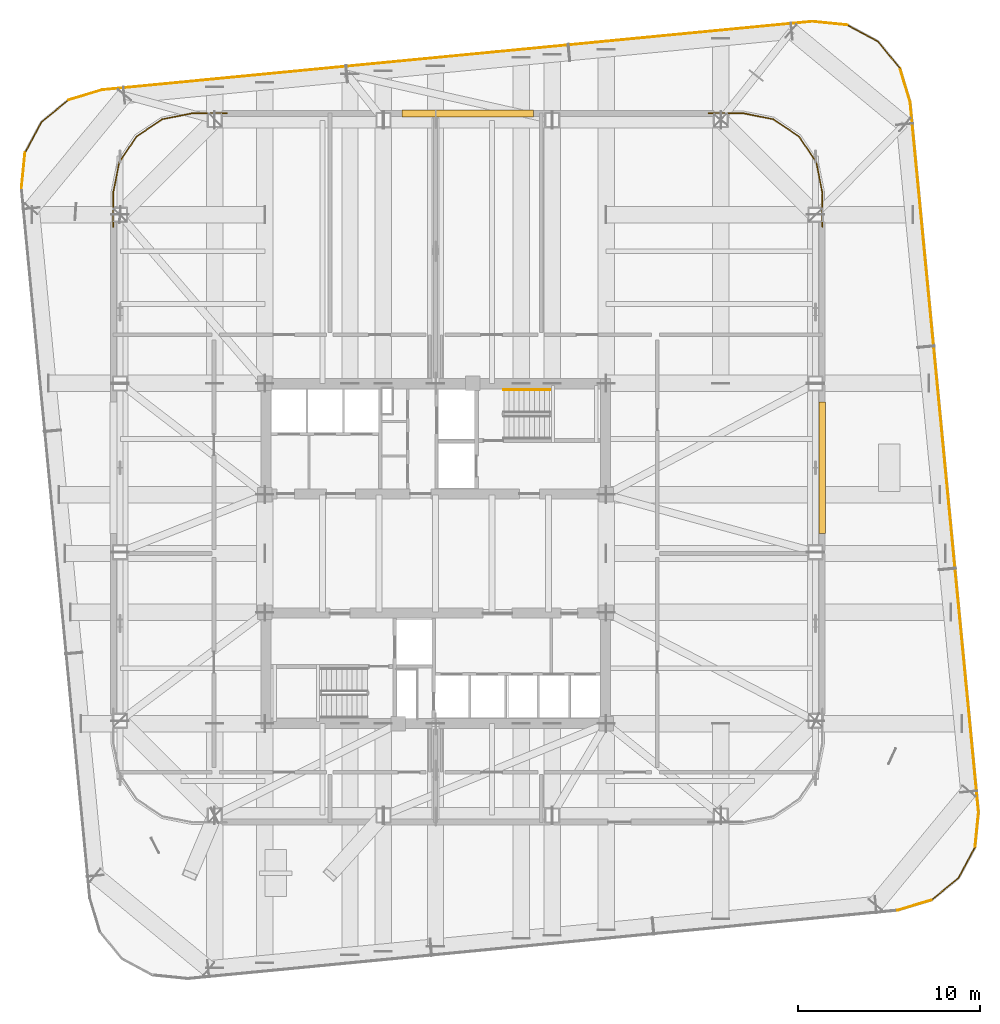
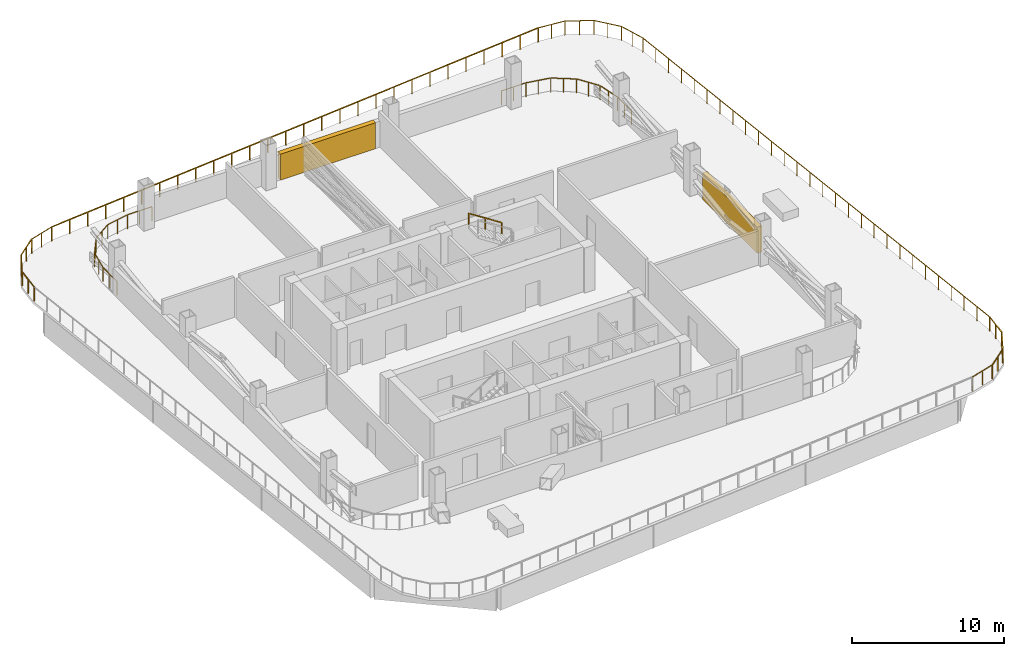
# One storey, part 15 of 15: 17 railings, 2 shading devices.
"""IFC4 building model written with IfcOpenShell, lengths in metres."""

from ifc_helpers import new_model, si_unit, direction, frame, origin, origin_2d, place, context, subcontext, project, spatial, rectangle, extrude, material, type_object, element, save


model = new_model("IFC4")

# Units and contexts
model_context = context("Model", 3, precision=1e-05, world=origin(), true_north=direction((0.0, 1.0)))
body_context = subcontext(model_context, "Body", "Model", "MODEL_VIEW")
ifc_project = project(units=[si_unit("LENGTHUNIT", "METRE"), si_unit("AREAUNIT", "SQUARE_METRE"), si_unit("VOLUMEUNIT", "CUBIC_METRE"), si_unit("PLANEANGLEUNIT", "RADIAN"), si_unit("MASSUNIT", "GRAM", prefix="KILO")], contexts=[model_context])

# Site, building, storey
site_placement = place(None, origin())
site = spatial("IfcSite", under=ifc_project, at=site_placement, CompositionType="ELEMENT")
building_placement = place(site_placement, origin())
building = spatial("IfcBuilding", under=site, at=building_placement, Name="Qhalaya Broadcast Tower", CompositionType="ELEMENT")
storey_placement = place(building_placement, frame((0.0, 0.0, 101.25)))
storey = spatial("IfcBuildingStorey", under=building, at=storey_placement, Name="L29", CompositionType="ELEMENT", Elevation=101.25)

# Shading devices
ifc_material_1 = material(Name="Fired Architectural Terracotta", Category="masonry")
shading_device_type = type_object("IfcShadingDeviceType", Name="Plant & Turbine-Slot Acoustic Louvre Screen LVS-01", PredefinedType="USERDEFINED", material=ifc_material_1)
for number, where, z_axis, x_axis, name in (
    (1, (21.22998046875, 5.31005859375, 0.0), (0.0, 0.0, 1.0), (0.0, -1.0, 0.0), "L29 Plant Acoustic Louvre Screen E"),
    (2, (1.77001953125, 24.77001953125, 0.0), (0.0, 0.0, 1.0), (1.0, 0.0, 0.0), "L29 Plant Acoustic Louvre Screen N"),
):
    element("IfcShadingDevice", number, at=place(storey_placement, frame(where, z_axis=z_axis, x_axis=x_axis)), inside=storey, type_object=shading_device_type, Name=name, ObjectType="LOUVRE", PredefinedType="USERDEFINED", context=body_context, shape_type="SweptSolid", body=[
        extrude(rectangle(XDim=7.199951171875, YDim=0.360107421875, at=origin_2d()), origin(), (0.0, 0.0, 1.0), 2.08203125),
    ])

# Railings
ifc_material_2 = material(Name="Powder-Coated Galvanised Steel", Category="steel")
railing_type_1 = type_object("IfcRailingType", Name="Stair Wall Handrail 900", PredefinedType="HANDRAIL", material=ifc_material_2)
railing_1_placement = place(storey_placement, frame((6.27001953125, 9.590087890625, 1.97998046875)))
element("IfcRailing", 3, at=railing_1_placement, inside=storey, type_object=railing_type_1, Name="L29 ST-1 Stair Handrail 2", PredefinedType="HANDRAIL", context=body_context, shape_type="SweptSolid", body=[
    extrude(rectangle(XDim=0.048095703125, YDim=0.048095703125, at=origin_2d()), frame((0.0, 0.0, 0.8759765625), z_axis=(-0.841162588446, 0.0, 0.540782303519), x_axis=(0.0, -1.0, 0.0)), (0.0, 0.0, 1.0), 2.995849609375),
    extrude(rectangle(XDim=0.0419921875, YDim=0.0419921875, at=origin_2d()), origin(), (0.0, 0.0, 1.0), 0.849853515625),
    extrude(rectangle(XDim=0.0419921875, YDim=0.0419921875, at=origin_2d()), frame((-1.260009765625, 0.0, 0.81005859375)), (0.0, 0.0, 1.0), 0.849853515625),
    extrude(rectangle(XDim=0.0419921875, YDim=0.0419921875, at=origin_2d()), frame((-2.52001953125, 0.0, 1.6201171875)), (0.0, 0.0, 1.0), 0.849853515625),
])
railing_type_2 = type_object("IfcRailingType", Name="Terrace, Sky-Pool & Lookout Glass Balustrade 1150", PredefinedType="BALUSTRADE", material=ifc_material_2)
railing_2_placement = place(storey_placement, frame((-22.744873046875, 20.69189453125, 0.0)))
element("IfcRailing", 4, at=railing_2_placement, inside=storey, type_object=railing_type_2, Name="L29 Perimeter Safety Balustrade BAL-TER1-07", PredefinedType="BALUSTRADE", context=body_context, shape_type="SweptSolid", body=[
    extrude(rectangle(XDim=0.048095703125, YDim=0.048095703125, at=origin_2d()), frame((0.0, 0.0, 1.1259765625), z_axis=(0.100093297364, 0.99497805595, 0.0), x_axis=(-0.99497805595, 0.100093297364, 0.0)), (0.0, 0.0, 1.0), 1.927001953125),
    extrude(rectangle(XDim=0.0419921875, YDim=0.0419921875, at=origin_2d()), origin(), (0.0, 0.0, 1.0), 1.099853515625),
    extrude(rectangle(XDim=0.0419921875, YDim=0.0419921875, at=origin_2d()), frame((0.096435546875, 0.95849609375, 0.0)), (0.0, 0.0, 1.0), 1.099853515625),
    extrude(rectangle(XDim=0.0419921875, YDim=0.0419921875, at=origin_2d()), frame((0.19287109375, 1.917236328125, 0.0)), (0.0, 0.0, 1.0), 1.099853515625),
])
railing_3_placement = place(storey_placement, frame((-22.552001953125, 22.609130859375, 0.0)))
element("IfcRailing", 5, at=railing_3_placement, inside=storey, type_object=railing_type_2, Name="L29 Perimeter Safety Balustrade BAL-TER1-08", PredefinedType="BALUSTRADE", context=body_context, shape_type="SweptSolid", body=[
    extrude(rectangle(XDim=0.048095703125, YDim=0.048095703125, at=origin_2d()), frame((0.0, 0.0, 1.1259765625), z_axis=(0.473325913175, 0.880887382085, 0.0), x_axis=(-0.880887382085, 0.473325913175, 0.0)), (0.0, 0.0, 1.0), 1.919189453125),
    extrude(rectangle(XDim=0.0419921875, YDim=0.0419921875, at=origin_2d()), origin(), (0.0, 0.0, 1.0), 1.099853515625),
    extrude(rectangle(XDim=0.0419921875, YDim=0.0419921875, at=origin_2d()), frame((0.4541015625, 0.84521484375, 0.0)), (0.0, 0.0, 1.0), 1.099853515625),
    extrude(rectangle(XDim=0.0419921875, YDim=0.0419921875, at=origin_2d()), frame((0.908447265625, 1.690673828125, 0.0)), (0.0, 0.0, 1.0), 1.099853515625),
])
railing_4_placement = place(storey_placement, frame((-21.6435546875, 24.2998046875, 0.0)))
element("IfcRailing", 6, at=railing_4_placement, inside=storey, type_object=railing_type_2, Name="L29 Perimeter Safety Balustrade BAL-TER1-09", PredefinedType="BALUSTRADE", context=body_context, shape_type="SweptSolid", body=[
    extrude(rectangle(XDim=0.048095703125, YDim=0.048095703125, at=origin_2d()), frame((0.0, 0.0, 1.1259765625), z_axis=(0.774410571314, 0.632683386092, 0.0), x_axis=(-0.632683386092, 0.774410571314, 0.0)), (0.0, 0.0, 1.0), 1.9189453125),
    extrude(rectangle(XDim=0.0419921875, YDim=0.0419921875, at=origin_2d()), origin(), (0.0, 0.0, 1.0), 1.099853515625),
    extrude(rectangle(XDim=0.0419921875, YDim=0.0419921875, at=origin_2d()), frame((0.7431640625, 0.60693359375, 0.0)), (0.0, 0.0, 1.0), 1.099853515625),
    extrude(rectangle(XDim=0.0419921875, YDim=0.0419921875, at=origin_2d()), frame((1.486083984375, 1.214111328125, 0.0)), (0.0, 0.0, 1.0), 1.099853515625),
])
railing_5_placement = place(storey_placement, frame((-20.157470703125, 25.513916015625, 0.0)))
element("IfcRailing", 7, at=railing_5_placement, inside=storey, type_object=railing_type_2, Name="L29 Perimeter Safety Balustrade BAL-TER1-10", PredefinedType="BALUSTRADE", context=body_context, shape_type="SweptSolid", body=[
    extrude(rectangle(XDim=0.048095703125, YDim=0.048095703125, at=origin_2d()), frame((0.0, 0.0, 1.1259765625), z_axis=(0.957571388004, 0.288196177763, 0.0), x_axis=(-0.288196177763, 0.957571388004, 0.0)), (0.0, 0.0, 1.0), 1.92724609375),
    extrude(rectangle(XDim=0.0419921875, YDim=0.0419921875, at=origin_2d()), origin(), (0.0, 0.0, 1.0), 1.099853515625),
    extrude(rectangle(XDim=0.0419921875, YDim=0.0419921875, at=origin_2d()), frame((0.9228515625, 0.27783203125, 0.0)), (0.0, 0.0, 1.0), 1.099853515625),
    extrude(rectangle(XDim=0.0419921875, YDim=0.0419921875, at=origin_2d()), frame((1.845458984375, 0.555419921875, 0.0)), (0.0, 0.0, 1.0), 1.099853515625),
])
railing_6_placement = place(storey_placement, frame((-18.31201171875, 26.0693359375, 0.0)))
element("IfcRailing", 8, at=railing_6_placement, inside=storey, type_object=railing_type_2, Name="L29 Perimeter Safety Balustrade BAL-TER1-11", PredefinedType="BALUSTRADE", context=body_context, shape_type="SweptSolid", body=[
    extrude(rectangle(XDim=0.048095703125, YDim=0.048095703125, at=origin_2d()), frame((0.0, 0.0, 1.1259765625), z_axis=(0.9953962806, 0.095844898501, 0.0), x_axis=(-0.095844898501, 0.9953962806, 0.0)), (0.0, 0.0, 1.0), 39.184326171875),
    extrude(rectangle(XDim=0.0419921875, YDim=0.0419921875, at=origin_2d()), origin(), (0.0, 0.0, 1.0), 1.099853515625),
    extrude(rectangle(XDim=0.0419921875, YDim=0.0419921875, at=origin_2d()), frame((1.444580078125, 0.13916015625, 0.0)), (0.0, 0.0, 1.0), 1.099853515625),
    extrude(rectangle(XDim=0.0419921875, YDim=0.0419921875, at=origin_2d()), frame((2.88916015625, 0.278076171875, 0.0)), (0.0, 0.0, 1.0), 1.099853515625),
    extrude(rectangle(XDim=0.0419921875, YDim=0.0419921875, at=origin_2d()), frame((4.333740234375, 0.417236328125, 0.0)), (0.0, 0.0, 1.0), 1.099853515625),
    extrude(rectangle(XDim=0.0419921875, YDim=0.0419921875, at=origin_2d()), frame((5.7783203125, 0.556396484375, 0.0)), (0.0, 0.0, 1.0), 1.099853515625),
    extrude(rectangle(XDim=0.0419921875, YDim=0.0419921875, at=origin_2d()), frame((7.222900390625, 0.695556640625, 0.0)), (0.0, 0.0, 1.0), 1.099853515625),
    extrude(rectangle(XDim=0.0419921875, YDim=0.0419921875, at=origin_2d()), frame((8.66748046875, 0.83447265625, 0.0)), (0.0, 0.0, 1.0), 1.099853515625),
    extrude(rectangle(XDim=0.0419921875, YDim=0.0419921875, at=origin_2d()), frame((10.112060546875, 0.9736328125, 0.0)), (0.0, 0.0, 1.0), 1.099853515625),
    extrude(rectangle(XDim=0.0419921875, YDim=0.0419921875, at=origin_2d()), frame((11.556640625, 1.11279296875, 0.0)), (0.0, 0.0, 1.0), 1.099853515625),
    extrude(rectangle(XDim=0.0419921875, YDim=0.0419921875, at=origin_2d()), frame((13.001220703125, 1.251953125, 0.0)), (0.0, 0.0, 1.0), 1.099853515625),
    extrude(rectangle(XDim=0.0419921875, YDim=0.0419921875, at=origin_2d()), frame((14.44580078125, 1.390869140625, 0.0)), (0.0, 0.0, 1.0), 1.099853515625),
    extrude(rectangle(XDim=0.0419921875, YDim=0.0419921875, at=origin_2d()), frame((15.890380859375, 1.530029296875, 0.0)), (0.0, 0.0, 1.0), 1.099853515625),
    extrude(rectangle(XDim=0.0419921875, YDim=0.0419921875, at=origin_2d()), frame((17.3349609375, 1.669189453125, 0.0)), (0.0, 0.0, 1.0), 1.099853515625),
    extrude(rectangle(XDim=0.0419921875, YDim=0.0419921875, at=origin_2d()), frame((18.779541015625, 1.808349609375, 0.0)), (0.0, 0.0, 1.0), 1.099853515625),
    extrude(rectangle(XDim=0.0419921875, YDim=0.0419921875, at=origin_2d()), frame((20.224365234375, 1.947265625, 0.0)), (0.0, 0.0, 1.0), 1.099853515625),
    extrude(rectangle(XDim=0.0419921875, YDim=0.0419921875, at=origin_2d()), frame((21.6689453125, 2.08642578125, 0.0)), (0.0, 0.0, 1.0), 1.099853515625),
    extrude(rectangle(XDim=0.0419921875, YDim=0.0419921875, at=origin_2d()), frame((23.113525390625, 2.2255859375, 0.0)), (0.0, 0.0, 1.0), 1.099853515625),
    extrude(rectangle(XDim=0.0419921875, YDim=0.0419921875, at=origin_2d()), frame((24.55810546875, 2.36474609375, 0.0)), (0.0, 0.0, 1.0), 1.099853515625),
    extrude(rectangle(XDim=0.0419921875, YDim=0.0419921875, at=origin_2d()), frame((26.002685546875, 2.503662109375, 0.0)), (0.0, 0.0, 1.0), 1.099853515625),
    extrude(rectangle(XDim=0.0419921875, YDim=0.0419921875, at=origin_2d()), frame((27.447265625, 2.642822265625, 0.0)), (0.0, 0.0, 1.0), 1.099853515625),
    extrude(rectangle(XDim=0.0419921875, YDim=0.0419921875, at=origin_2d()), frame((28.891845703125, 2.781982421875, 0.0)), (0.0, 0.0, 1.0), 1.099853515625),
    extrude(rectangle(XDim=0.0419921875, YDim=0.0419921875, at=origin_2d()), frame((30.33642578125, 2.921142578125, 0.0)), (0.0, 0.0, 1.0), 1.099853515625),
    extrude(rectangle(XDim=0.0419921875, YDim=0.0419921875, at=origin_2d()), frame((31.781005859375, 3.06005859375, 0.0)), (0.0, 0.0, 1.0), 1.099853515625),
    extrude(rectangle(XDim=0.0419921875, YDim=0.0419921875, at=origin_2d()), frame((33.2255859375, 3.19921875, 0.0)), (0.0, 0.0, 1.0), 1.099853515625),
    extrude(rectangle(XDim=0.0419921875, YDim=0.0419921875, at=origin_2d()), frame((34.670166015625, 3.33837890625, 0.0)), (0.0, 0.0, 1.0), 1.099853515625),
    extrude(rectangle(XDim=0.0419921875, YDim=0.0419921875, at=origin_2d()), frame((36.11474609375, 3.4775390625, 0.0)), (0.0, 0.0, 1.0), 1.099853515625),
    extrude(rectangle(XDim=0.0419921875, YDim=0.0419921875, at=origin_2d()), frame((37.559326171875, 3.616455078125, 0.0)), (0.0, 0.0, 1.0), 1.099853515625),
    extrude(rectangle(XDim=0.0419921875, YDim=0.0419921875, at=origin_2d()), frame((39.00390625, 3.755615234375, 0.0)), (0.0, 0.0, 1.0), 1.099853515625),
])
railing_7_placement = place(storey_placement, frame((20.69189453125, 29.824951171875, 0.0)))
element("IfcRailing", 9, at=railing_7_placement, inside=storey, type_object=railing_type_2, Name="L29 Perimeter Safety Balustrade BAL-TER1-12", PredefinedType="BALUSTRADE", context=body_context, shape_type="SweptSolid", body=[
    extrude(rectangle(XDim=0.048095703125, YDim=0.048095703125, at=origin_2d()), frame((0.0, 0.0, 1.1259765625), z_axis=(0.994965430034, -0.100218725985, 0.0), x_axis=(0.100218725985, 0.994965430034, 0.0)), (0.0, 0.0, 1.0), 1.927001953125),
    extrude(rectangle(XDim=0.0419921875, YDim=0.0419921875, at=origin_2d()), origin(), (0.0, 0.0, 1.0), 1.099853515625),
    extrude(rectangle(XDim=0.0419921875, YDim=0.0419921875, at=origin_2d()), frame((0.95849609375, -0.0966796875, 0.0)), (0.0, 0.0, 1.0), 1.099853515625),
    extrude(rectangle(XDim=0.0419921875, YDim=0.0419921875, at=origin_2d()), frame((1.917236328125, -0.193115234375, 0.0)), (0.0, 0.0, 1.0), 1.099853515625),
])
railing_8_placement = place(storey_placement, frame((22.609130859375, 29.6318359375, 0.0)))
element("IfcRailing", 10, at=railing_8_placement, inside=storey, type_object=railing_type_2, Name="L29 Perimeter Safety Balustrade BAL-TER1-13", PredefinedType="BALUSTRADE", context=body_context, shape_type="SweptSolid", body=[
    extrude(rectangle(XDim=0.048095703125, YDim=0.048095703125, at=origin_2d()), frame((0.0, 0.0, 1.1259765625), z_axis=(0.880940417032, -0.473227198752, 0.0), x_axis=(0.473227198752, 0.880940417032, 0.0)), (0.0, 0.0, 1.0), 1.919189453125),
    extrude(rectangle(XDim=0.0419921875, YDim=0.0419921875, at=origin_2d()), origin(), (0.0, 0.0, 1.0), 1.099853515625),
    extrude(rectangle(XDim=0.0419921875, YDim=0.0419921875, at=origin_2d()), frame((0.84521484375, -0.4541015625, 0.0)), (0.0, 0.0, 1.0), 1.099853515625),
    extrude(rectangle(XDim=0.0419921875, YDim=0.0419921875, at=origin_2d()), frame((1.690673828125, -0.908203125, 0.0)), (0.0, 0.0, 1.0), 1.099853515625),
])
railing_9_placement = place(storey_placement, frame((24.2998046875, 28.7236328125, 0.0)))
element("IfcRailing", 11, at=railing_9_placement, inside=storey, type_object=railing_type_2, Name="L29 Perimeter Safety Balustrade BAL-TER1-14", PredefinedType="BALUSTRADE", context=body_context, shape_type="SweptSolid", body=[
    extrude(rectangle(XDim=0.048095703125, YDim=0.048095703125, at=origin_2d()), frame((0.0, 0.0, 1.1259765625), z_axis=(0.632621056087, -0.774461489937, 0.0), x_axis=(0.774461489937, 0.632621056087, 0.0)), (0.0, 0.0, 1.0), 1.919189453125),
    extrude(rectangle(XDim=0.0419921875, YDim=0.0419921875, at=origin_2d()), origin(), (0.0, 0.0, 1.0), 1.099853515625),
    extrude(rectangle(XDim=0.0419921875, YDim=0.0419921875, at=origin_2d()), frame((0.60693359375, -0.7431640625, 0.0)), (0.0, 0.0, 1.0), 1.099853515625),
    extrude(rectangle(XDim=0.0419921875, YDim=0.0419921875, at=origin_2d()), frame((1.214111328125, -1.486328125, 0.0)), (0.0, 0.0, 1.0), 1.099853515625),
])
railing_10_placement = place(storey_placement, frame((25.513916015625, 27.2373046875, 0.0)))
element("IfcRailing", 12, at=railing_10_placement, inside=storey, type_object=railing_type_2, Name="L29 Perimeter Safety Balustrade BAL-TER1-15", PredefinedType="BALUSTRADE", context=body_context, shape_type="SweptSolid", body=[
    extrude(rectangle(XDim=0.048095703125, YDim=0.048095703125, at=origin_2d()), frame((0.0, 0.0, 1.1259765625), z_axis=(0.288231141391, -0.957560864453, 0.0), x_axis=(0.957560864453, 0.288231141391, 0.0)), (0.0, 0.0, 1.0), 1.927001953125),
    extrude(rectangle(XDim=0.0419921875, YDim=0.0419921875, at=origin_2d()), origin(), (0.0, 0.0, 1.0), 1.099853515625),
    extrude(rectangle(XDim=0.0419921875, YDim=0.0419921875, at=origin_2d()), frame((0.27783203125, -0.922607421875, 0.0)), (0.0, 0.0, 1.0), 1.099853515625),
    extrude(rectangle(XDim=0.0419921875, YDim=0.0419921875, at=origin_2d()), frame((0.555419921875, -1.84521484375, 0.0)), (0.0, 0.0, 1.0), 1.099853515625),
])
railing_11_placement = place(storey_placement, frame((26.0693359375, 25.39208984375, 0.0)))
element("IfcRailing", 13, at=railing_11_placement, inside=storey, type_object=railing_type_2, Name="L29 Perimeter Safety Balustrade BAL-TER1-16", PredefinedType="BALUSTRADE", context=body_context, shape_type="SweptSolid", body=[
    extrude(rectangle(XDim=0.048095703125, YDim=0.048095703125, at=origin_2d()), frame((0.0, 0.0, 1.1259765625), z_axis=(0.095844898501, -0.9953962806, 0.0), x_axis=(0.9953962806, 0.095844898501, 0.0)), (0.0, 0.0, 1.0), 39.184326171875),
    extrude(rectangle(XDim=0.0419921875, YDim=0.0419921875, at=origin_2d()), origin(), (0.0, 0.0, 1.0), 1.099853515625),
    extrude(rectangle(XDim=0.0419921875, YDim=0.0419921875, at=origin_2d()), frame((0.13916015625, -1.444580078125, 0.0)), (0.0, 0.0, 1.0), 1.099853515625),
    extrude(rectangle(XDim=0.0419921875, YDim=0.0419921875, at=origin_2d()), frame((0.278076171875, -2.88916015625, 0.0)), (0.0, 0.0, 1.0), 1.099853515625),
    extrude(rectangle(XDim=0.0419921875, YDim=0.0419921875, at=origin_2d()), frame((0.417236328125, -4.333740234375, 0.0)), (0.0, 0.0, 1.0), 1.099853515625),
    extrude(rectangle(XDim=0.0419921875, YDim=0.0419921875, at=origin_2d()), frame((0.556396484375, -5.7783203125, 0.0)), (0.0, 0.0, 1.0), 1.099853515625),
    extrude(rectangle(XDim=0.0419921875, YDim=0.0419921875, at=origin_2d()), frame((0.695556640625, -7.222900390625, 0.0)), (0.0, 0.0, 1.0), 1.099853515625),
    extrude(rectangle(XDim=0.0419921875, YDim=0.0419921875, at=origin_2d()), frame((0.83447265625, -8.66748046875, 0.0)), (0.0, 0.0, 1.0), 1.099853515625),
    extrude(rectangle(XDim=0.0419921875, YDim=0.0419921875, at=origin_2d()), frame((0.9736328125, -10.112060546875, 0.0)), (0.0, 0.0, 1.0), 1.099853515625),
    extrude(rectangle(XDim=0.0419921875, YDim=0.0419921875, at=origin_2d()), frame((1.11279296875, -11.556640625, 0.0)), (0.0, 0.0, 1.0), 1.099853515625),
    extrude(rectangle(XDim=0.0419921875, YDim=0.0419921875, at=origin_2d()), frame((1.251953125, -13.001220703125, 0.0)), (0.0, 0.0, 1.0), 1.099853515625),
    extrude(rectangle(XDim=0.0419921875, YDim=0.0419921875, at=origin_2d()), frame((1.390869140625, -14.44580078125, 0.0)), (0.0, 0.0, 1.0), 1.099853515625),
    extrude(rectangle(XDim=0.0419921875, YDim=0.0419921875, at=origin_2d()), frame((1.530029296875, -15.890380859375, 0.0)), (0.0, 0.0, 1.0), 1.099853515625),
    extrude(rectangle(XDim=0.0419921875, YDim=0.0419921875, at=origin_2d()), frame((1.669189453125, -17.3349609375, 0.0)), (0.0, 0.0, 1.0), 1.099853515625),
    extrude(rectangle(XDim=0.0419921875, YDim=0.0419921875, at=origin_2d()), frame((1.808349609375, -18.779541015625, 0.0)), (0.0, 0.0, 1.0), 1.099853515625),
    extrude(rectangle(XDim=0.0419921875, YDim=0.0419921875, at=origin_2d()), frame((1.947265625, -20.224365234375, 0.0)), (0.0, 0.0, 1.0), 1.099853515625),
    extrude(rectangle(XDim=0.0419921875, YDim=0.0419921875, at=origin_2d()), frame((2.08642578125, -21.6689453125, 0.0)), (0.0, 0.0, 1.0), 1.099853515625),
    extrude(rectangle(XDim=0.0419921875, YDim=0.0419921875, at=origin_2d()), frame((2.2255859375, -23.113525390625, 0.0)), (0.0, 0.0, 1.0), 1.099853515625),
    extrude(rectangle(XDim=0.0419921875, YDim=0.0419921875, at=origin_2d()), frame((2.36474609375, -24.55810546875, 0.0)), (0.0, 0.0, 1.0), 1.099853515625),
    extrude(rectangle(XDim=0.0419921875, YDim=0.0419921875, at=origin_2d()), frame((2.503662109375, -26.002685546875, 0.0)), (0.0, 0.0, 1.0), 1.099853515625),
    extrude(rectangle(XDim=0.0419921875, YDim=0.0419921875, at=origin_2d()), frame((2.642822265625, -27.447265625, 0.0)), (0.0, 0.0, 1.0), 1.099853515625),
    extrude(rectangle(XDim=0.0419921875, YDim=0.0419921875, at=origin_2d()), frame((2.781982421875, -28.891845703125, 0.0)), (0.0, 0.0, 1.0), 1.099853515625),
    extrude(rectangle(XDim=0.0419921875, YDim=0.0419921875, at=origin_2d()), frame((2.921142578125, -30.33642578125, 0.0)), (0.0, 0.0, 1.0), 1.099853515625),
    extrude(rectangle(XDim=0.0419921875, YDim=0.0419921875, at=origin_2d()), frame((3.06005859375, -31.781005859375, 0.0)), (0.0, 0.0, 1.0), 1.099853515625),
    extrude(rectangle(XDim=0.0419921875, YDim=0.0419921875, at=origin_2d()), frame((3.19921875, -33.2255859375, 0.0)), (0.0, 0.0, 1.0), 1.099853515625),
    extrude(rectangle(XDim=0.0419921875, YDim=0.0419921875, at=origin_2d()), frame((3.33837890625, -34.670166015625, 0.0)), (0.0, 0.0, 1.0), 1.099853515625),
    extrude(rectangle(XDim=0.0419921875, YDim=0.0419921875, at=origin_2d()), frame((3.4775390625, -36.11474609375, 0.0)), (0.0, 0.0, 1.0), 1.099853515625),
    extrude(rectangle(XDim=0.0419921875, YDim=0.0419921875, at=origin_2d()), frame((3.616455078125, -37.559326171875, 0.0)), (0.0, 0.0, 1.0), 1.099853515625),
    extrude(rectangle(XDim=0.0419921875, YDim=0.0419921875, at=origin_2d()), frame((3.755615234375, -39.00390625, 0.0)), (0.0, 0.0, 1.0), 1.099853515625),
])
railing_12_placement = place(storey_placement, frame((29.824951171875, -13.61181640625, 0.0)))
element("IfcRailing", 14, at=railing_12_placement, inside=storey, type_object=railing_type_2, Name="L29 Perimeter Safety Balustrade BAL-TER1-17", PredefinedType="BALUSTRADE", context=body_context, shape_type="SweptSolid", body=[
    extrude(rectangle(XDim=0.048095703125, YDim=0.048095703125, at=origin_2d()), frame((0.0, 0.0, 1.1259765625), z_axis=(-0.100206093907, -0.994966702329, 0.0), x_axis=(0.994966702329, -0.100206093907, 0.0)), (0.0, 0.0, 1.0), 1.92724609375),
    extrude(rectangle(XDim=0.0419921875, YDim=0.0419921875, at=origin_2d()), origin(), (0.0, 0.0, 1.0), 1.099853515625),
    extrude(rectangle(XDim=0.0419921875, YDim=0.0419921875, at=origin_2d()), frame((-0.0966796875, -0.958740234375, 0.0)), (0.0, 0.0, 1.0), 1.099853515625),
    extrude(rectangle(XDim=0.0419921875, YDim=0.0419921875, at=origin_2d()), frame((-0.193115234375, -1.91748046875, 0.0)), (0.0, 0.0, 1.0), 1.099853515625),
])
railing_13_placement = place(storey_placement, frame((29.6318359375, -15.529296875, 0.0)))
element("IfcRailing", 15, at=railing_13_placement, inside=storey, type_object=railing_type_2, Name="L29 Perimeter Safety Balustrade BAL-TER1-18", PredefinedType="BALUSTRADE", context=body_context, shape_type="SweptSolid", body=[
    extrude(rectangle(XDim=0.048095703125, YDim=0.048095703125, at=origin_2d()), frame((0.0, 0.0, 1.1259765625), z_axis=(-0.473280236447, -0.880911923968, 0.0), x_axis=(0.880911923968, -0.473280236447, 0.0)), (0.0, 0.0, 1.0), 1.9189453125),
    extrude(rectangle(XDim=0.0419921875, YDim=0.0419921875, at=origin_2d()), origin(), (0.0, 0.0, 1.0), 1.099853515625),
    extrude(rectangle(XDim=0.0419921875, YDim=0.0419921875, at=origin_2d()), frame((-0.4541015625, -0.84521484375, 0.0)), (0.0, 0.0, 1.0), 1.099853515625),
    extrude(rectangle(XDim=0.0419921875, YDim=0.0419921875, at=origin_2d()), frame((-0.908203125, -1.6904296875, 0.0)), (0.0, 0.0, 1.0), 1.099853515625),
])
railing_14_placement = place(storey_placement, frame((28.7236328125, -17.2197265625, 0.0)))
element("IfcRailing", 16, at=railing_14_placement, inside=storey, type_object=railing_type_2, Name="L29 Perimeter Safety Balustrade BAL-TER1-19", PredefinedType="BALUSTRADE", context=body_context, shape_type="SweptSolid", body=[
    extrude(rectangle(XDim=0.048095703125, YDim=0.048095703125, at=origin_2d()), frame((0.0, 0.0, 1.1259765625), z_axis=(-0.774461489937, -0.632621056087, 0.0), x_axis=(0.632621056087, -0.774461489937, 0.0)), (0.0, 0.0, 1.0), 1.919189453125),
    extrude(rectangle(XDim=0.0419921875, YDim=0.0419921875, at=origin_2d()), origin(), (0.0, 0.0, 1.0), 1.099853515625),
    extrude(rectangle(XDim=0.0419921875, YDim=0.0419921875, at=origin_2d()), frame((-0.7431640625, -0.60693359375, 0.0)), (0.0, 0.0, 1.0), 1.099853515625),
    extrude(rectangle(XDim=0.0419921875, YDim=0.0419921875, at=origin_2d()), frame((-1.486328125, -1.214111328125, 0.0)), (0.0, 0.0, 1.0), 1.099853515625),
])
railing_15_placement = place(storey_placement, frame((27.2373046875, -18.433837890625, 0.0)))
element("IfcRailing", 17, at=railing_15_placement, inside=storey, type_object=railing_type_2, Name="L29 Perimeter Safety Balustrade BAL-TER1-20", PredefinedType="BALUSTRADE", context=body_context, shape_type="SweptSolid", body=[
    extrude(rectangle(XDim=0.048095703125, YDim=0.048095703125, at=origin_2d()), frame((0.0, 0.0, 1.1259765625), z_axis=(-0.957560864453, -0.288231141391, 0.0), x_axis=(0.288231141391, -0.957560864453, 0.0)), (0.0, 0.0, 1.0), 1.927001953125),
    extrude(rectangle(XDim=0.0419921875, YDim=0.0419921875, at=origin_2d()), origin(), (0.0, 0.0, 1.0), 1.099853515625),
    extrude(rectangle(XDim=0.0419921875, YDim=0.0419921875, at=origin_2d()), frame((-0.922607421875, -0.27783203125, 0.0)), (0.0, 0.0, 1.0), 1.099853515625),
    extrude(rectangle(XDim=0.0419921875, YDim=0.0419921875, at=origin_2d()), frame((-1.84521484375, -0.555419921875, 0.0)), (0.0, 0.0, 1.0), 1.099853515625),
])
railing_16_placement = place(storey_placement, frame((-17.7099609375, 18.5419921875, 0.0)))
element("IfcRailing", 18, at=railing_16_placement, inside=storey, type_object=railing_type_2, Name="L29 Rounded Corner Perimeter Guard 03", PredefinedType="BALUSTRADE", context=body_context, shape_type="SweptSolid", body=[
    extrude(rectangle(XDim=0.048095703125, YDim=0.048095703125, at=origin_2d()), frame((0.0, 0.0, 1.1259765625), z_axis=(0.0, 1.0, 0.0), x_axis=(-1.0, 0.0, 0.0)), (0.0, 0.0, 1.0), 1.827392578125),
    extrude(rectangle(XDim=0.048095703125, YDim=0.048095703125, at=origin_2d()), frame((0.005615234375, 1.884521484375, 1.1259765625), z_axis=(0.195024175165, 0.980798435511, 0.0), x_axis=(-0.980798435511, 0.195024175165, 0.0)), (0.0, 0.0, 1.0), 1.662353515625),
    extrude(rectangle(XDim=0.048095703125, YDim=0.048095703125, at=origin_2d()), frame((0.3515625, 3.567138671875, 1.1259765625), z_axis=(0.555524454036, 0.831500199018, 0.0), x_axis=(-0.831500199018, 0.555524454036, 0.0)), (0.0, 0.0, 1.0), 1.650634765625),
    extrude(rectangle(XDim=0.048095703125, YDim=0.048095703125, at=origin_2d()), frame((1.308349609375, 4.979736328125, 1.1259765625), z_axis=(0.831456085426, 0.555590476887, 0.0), x_axis=(-0.555590476887, 0.831456085426, 0.0)), (0.0, 0.0, 1.0), 1.650390625),
    extrude(rectangle(XDim=0.048095703125, YDim=0.048095703125, at=origin_2d()), frame((2.73291015625, 5.918212890625, 1.1259765625), z_axis=(0.980803832953, 0.194997028864, 0.0), x_axis=(-0.194997028864, 0.980803832953, 0.0)), (0.0, 0.0, 1.0), 1.66259765625),
    extrude(rectangle(XDim=0.048095703125, YDim=0.048095703125, at=origin_2d()), frame((4.420654296875, 6.248046875, 1.1259765625), z_axis=(1.0, 0.0, 0.0), x_axis=(0.0, 1.0, 0.0)), (0.0, 0.0, 1.0), 1.827392578125),
    extrude(rectangle(XDim=0.0419921875, YDim=0.0419921875, at=origin_2d()), origin(), (0.0, 0.0, 1.0), 1.099853515625),
    extrude(rectangle(XDim=0.0419921875, YDim=0.0419921875, at=origin_2d()), frame((0.0, 0.92822265625, 0.0)), (0.0, 0.0, 1.0), 1.099853515625),
    extrude(rectangle(XDim=0.0419921875, YDim=0.0419921875, at=origin_2d()), frame((0.0, 1.856201171875, 0.0)), (0.0, 0.0, 1.0), 1.099853515625),
    extrude(rectangle(XDim=0.0419921875, YDim=0.0419921875, at=origin_2d()), frame((0.167724609375, 2.69970703125, 0.0)), (0.0, 0.0, 1.0), 1.099853515625),
    extrude(rectangle(XDim=0.0419921875, YDim=0.0419921875, at=origin_2d()), frame((0.33544921875, 3.543212890625, 0.0)), (0.0, 0.0, 1.0), 1.099853515625),
    extrude(rectangle(XDim=0.0419921875, YDim=0.0419921875, at=origin_2d()), frame((0.81005859375, 4.25341796875, 0.0)), (0.0, 0.0, 1.0), 1.099853515625),
    extrude(rectangle(XDim=0.0419921875, YDim=0.0419921875, at=origin_2d()), frame((1.284423828125, 4.963623046875, 0.0)), (0.0, 0.0, 1.0), 1.099853515625),
    extrude(rectangle(XDim=0.0419921875, YDim=0.0419921875, at=origin_2d()), frame((1.99462890625, 5.43798828125, 0.0)), (0.0, 0.0, 1.0), 1.099853515625),
    extrude(rectangle(XDim=0.0419921875, YDim=0.0419921875, at=origin_2d()), frame((2.70458984375, 5.91259765625, 0.0)), (0.0, 0.0, 1.0), 1.099853515625),
    extrude(rectangle(XDim=0.0419921875, YDim=0.0419921875, at=origin_2d()), frame((3.54833984375, 6.080322265625, 0.0)), (0.0, 0.0, 1.0), 1.099853515625),
    extrude(rectangle(XDim=0.0419921875, YDim=0.0419921875, at=origin_2d()), frame((4.391845703125, 6.248046875, 0.0)), (0.0, 0.0, 1.0), 1.099853515625),
    extrude(rectangle(XDim=0.0419921875, YDim=0.0419921875, at=origin_2d()), frame((5.31982421875, 6.248046875, 0.0)), (0.0, 0.0, 1.0), 1.099853515625),
    extrude(rectangle(XDim=0.0419921875, YDim=0.0419921875, at=origin_2d()), frame((6.248046875, 6.248046875, 0.0)), (0.0, 0.0, 1.0), 1.099853515625),
])
railing_17_placement = place(storey_placement, frame((15.001953125, 24.7900390625, 0.0)))
element("IfcRailing", 19, at=railing_17_placement, inside=storey, type_object=railing_type_2, Name="L29 Rounded Corner Perimeter Guard 04", PredefinedType="BALUSTRADE", context=body_context, shape_type="SweptSolid", body=[
    extrude(rectangle(XDim=0.048095703125, YDim=0.048095703125, at=origin_2d()), frame((0.0, 0.0, 1.1259765625), z_axis=(1.0, 0.0, 0.0), x_axis=(0.0, 1.0, 0.0)), (0.0, 0.0, 1.0), 1.827392578125),
    extrude(rectangle(XDim=0.048095703125, YDim=0.048095703125, at=origin_2d()), frame((1.884521484375, -0.005615234375, 1.1259765625), z_axis=(0.980803832953, -0.194997028864, 0.0), x_axis=(0.194997028864, 0.980803832953, 0.0)), (0.0, 0.0, 1.0), 1.66259765625),
    extrude(rectangle(XDim=0.048095703125, YDim=0.048095703125, at=origin_2d()), frame((3.5673828125, -0.3515625, 1.1259765625), z_axis=(0.831456085426, -0.555590476887, 0.0), x_axis=(0.555590476887, 0.831456085426, 0.0)), (0.0, 0.0, 1.0), 1.650390625),
    extrude(rectangle(XDim=0.048095703125, YDim=0.048095703125, at=origin_2d()), frame((4.979736328125, -1.308349609375, 1.1259765625), z_axis=(0.555524454036, -0.831500199018, 0.0), x_axis=(0.831500199018, 0.555524454036, 0.0)), (0.0, 0.0, 1.0), 1.650634765625),
    extrude(rectangle(XDim=0.048095703125, YDim=0.048095703125, at=origin_2d()), frame((5.918212890625, -2.733154296875, 1.1259765625), z_axis=(0.195024175165, -0.980798435511, 0.0), x_axis=(0.980798435511, 0.195024175165, 0.0)), (0.0, 0.0, 1.0), 1.662353515625),
    extrude(rectangle(XDim=0.048095703125, YDim=0.048095703125, at=origin_2d()), frame((6.248046875, -4.420654296875, 1.1259765625), z_axis=(0.0, -1.0, 0.0), x_axis=(1.0, 0.0, 0.0)), (0.0, 0.0, 1.0), 1.827392578125),
    extrude(rectangle(XDim=0.0419921875, YDim=0.0419921875, at=origin_2d()), origin(), (0.0, 0.0, 1.0), 1.099853515625),
    extrude(rectangle(XDim=0.0419921875, YDim=0.0419921875, at=origin_2d()), frame((0.92822265625, 0.0, 0.0)), (0.0, 0.0, 1.0), 1.099853515625),
    extrude(rectangle(XDim=0.0419921875, YDim=0.0419921875, at=origin_2d()), frame((1.856201171875, 0.0, 0.0)), (0.0, 0.0, 1.0), 1.099853515625),
    extrude(rectangle(XDim=0.0419921875, YDim=0.0419921875, at=origin_2d()), frame((2.69970703125, -0.167724609375, 0.0)), (0.0, 0.0, 1.0), 1.099853515625),
    extrude(rectangle(XDim=0.0419921875, YDim=0.0419921875, at=origin_2d()), frame((3.54345703125, -0.33544921875, 0.0)), (0.0, 0.0, 1.0), 1.099853515625),
    extrude(rectangle(XDim=0.0419921875, YDim=0.0419921875, at=origin_2d()), frame((4.25341796875, -0.81005859375, 0.0)), (0.0, 0.0, 1.0), 1.099853515625),
    extrude(rectangle(XDim=0.0419921875, YDim=0.0419921875, at=origin_2d()), frame((4.963623046875, -1.284423828125, 0.0)), (0.0, 0.0, 1.0), 1.099853515625),
    extrude(rectangle(XDim=0.0419921875, YDim=0.0419921875, at=origin_2d()), frame((5.43798828125, -1.99462890625, 0.0)), (0.0, 0.0, 1.0), 1.099853515625),
    extrude(rectangle(XDim=0.0419921875, YDim=0.0419921875, at=origin_2d()), frame((5.91259765625, -2.704833984375, 0.0)), (0.0, 0.0, 1.0), 1.099853515625),
    extrude(rectangle(XDim=0.0419921875, YDim=0.0419921875, at=origin_2d()), frame((6.080322265625, -3.54833984375, 0.0)), (0.0, 0.0, 1.0), 1.099853515625),
    extrude(rectangle(XDim=0.0419921875, YDim=0.0419921875, at=origin_2d()), frame((6.248046875, -4.391845703125, 0.0)), (0.0, 0.0, 1.0), 1.099853515625),
    extrude(rectangle(XDim=0.0419921875, YDim=0.0419921875, at=origin_2d()), frame((6.248046875, -5.31982421875, 0.0)), (0.0, 0.0, 1.0), 1.099853515625),
    extrude(rectangle(XDim=0.0419921875, YDim=0.0419921875, at=origin_2d()), frame((6.248046875, -6.248046875, 0.0)), (0.0, 0.0, 1.0), 1.099853515625),
])

save(model, "model.ifc")
